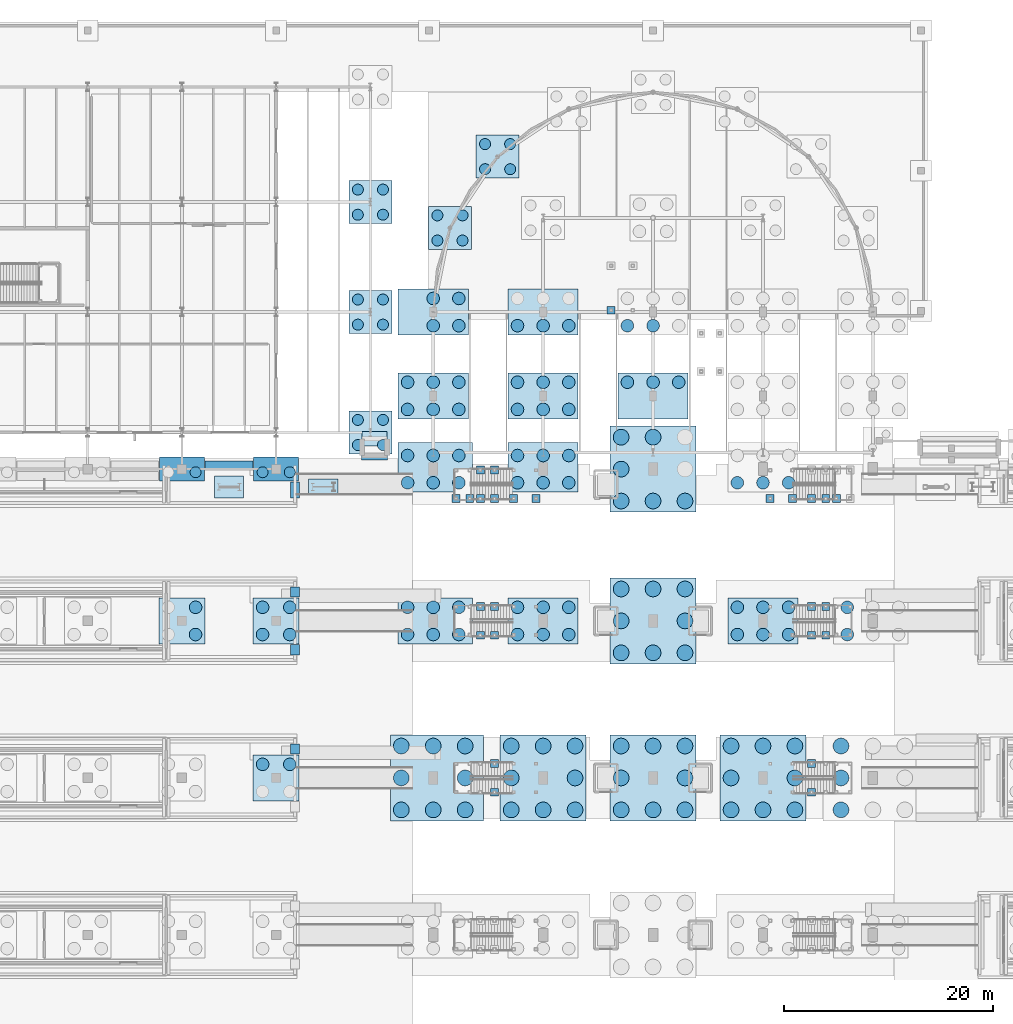
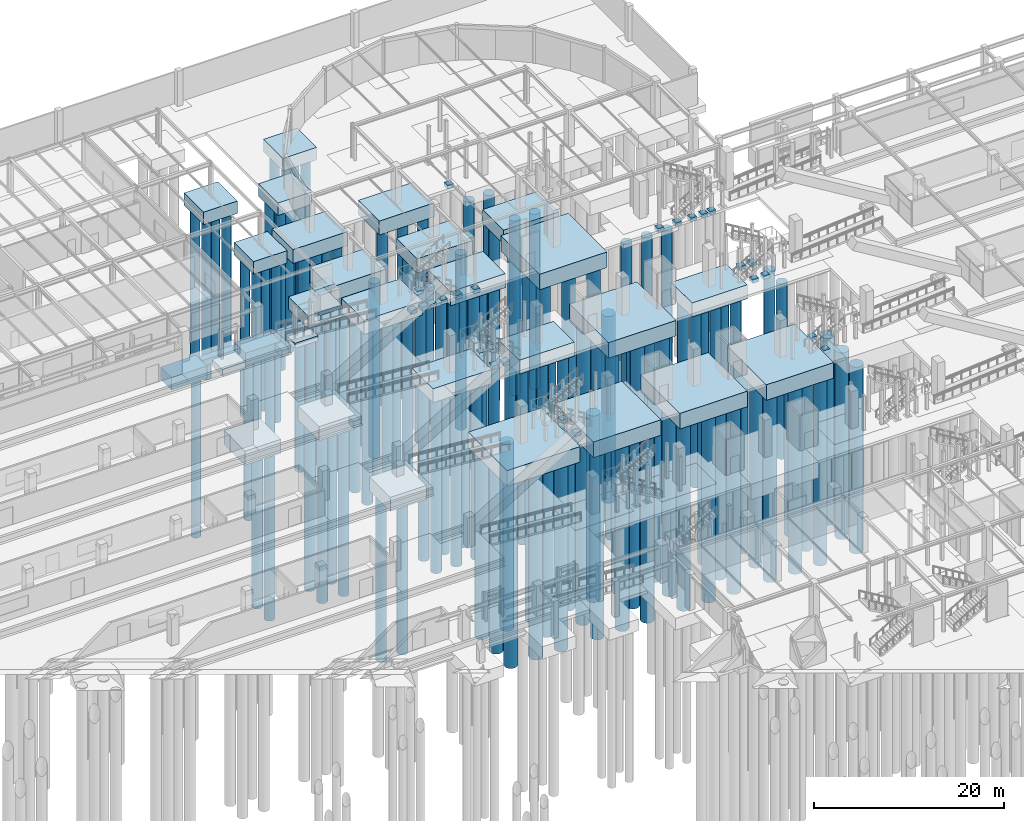
# One storey, part 4 of 160: 139 piles, 61 footings.
"""IFC4 building model written with IfcOpenShell, lengths in metres."""

from ifc_helpers import new_model, si_unit, direction, frame, origin, origin_2d, place, context, subcontext, project, spatial, rectangle, circle, extrude, material, material_profile, profile_set, type_object, element, save


model = new_model("IFC4")

# Units and contexts
model_context = context("Model", 3, precision=1e-05, world=origin(), true_north=direction((0.0, 1.0)))
body_context = subcontext(model_context, "Body", "Model", "MODEL_VIEW")
ifc_project = project(units=[si_unit("LENGTHUNIT", "METRE"), si_unit("AREAUNIT", "SQUARE_METRE"), si_unit("VOLUMEUNIT", "CUBIC_METRE"), si_unit("PLANEANGLEUNIT", "RADIAN"), si_unit("MASSUNIT", "GRAM", prefix="KILO")], contexts=[model_context])

# Site, building, storey
site_placement = place(None, origin())
site = spatial("IfcSite", under=ifc_project, at=site_placement, CompositionType="ELEMENT")
building_placement = place(site_placement, origin())
building = spatial("IfcBuilding", under=site, at=building_placement, Name="Marlcrest Central Station", CompositionType="ELEMENT")
storey_placement = place(building_placement, origin())
storey = spatial("IfcBuildingStorey", under=building, at=storey_placement, Name="L00", CompositionType="ELEMENT", Elevation=0.0)

# Piles
ifc_material_1 = material(Name="Concrete C35/45", Category="concrete")
ifc_material_profile_1 = material_profile(ifc_material_1, circle(Radius=0.52490234375, at=origin_2d()), Name="PILE D1050")
ifc_profile_set_1 = profile_set([ifc_material_profile_1], Name="Concrete C35/45")
pile_type_1 = type_object("IfcPileType", Name="BP-03", PredefinedType="BORED", material=ifc_profile_set_1)
for number, where, z_axis, x_axis, name in (
    (1, (79.800048828125, 97.800048828125, -1.5), (0.0, 0.0, -1.0), (1.0, 0.0, 0.0), "pile-BP-03-0153"),
    (2, (82.199951171875, 97.800048828125, -1.5), (0.0, 0.0, -1.0), (1.0, 0.0, 0.0), "pile-BP-03-0154"),
    (3, (79.800048828125, 100.199951171875, -1.5), (0.0, 0.0, -1.0), (1.0, 0.0, 0.0), "pile-BP-03-0155"),
    (4, (82.199951171875, 100.199951171875, -1.5), (0.0, 0.0, -1.0), (1.0, 0.0, 0.0), "pile-BP-03-0156"),
    (5, (79.800048828125, 109.300048828125, -1.5), (0.0, 0.0, -1.0), (1.0, 0.0, 0.0), "pile-BP-03-0157"),
    (6, (82.199951171875, 109.300048828125, -1.5), (0.0, 0.0, -1.0), (1.0, 0.0, 0.0), "pile-BP-03-0158"),
    (7, (79.800048828125, 111.699951171875, -1.5), (0.0, 0.0, -1.0), (1.0, 0.0, 0.0), "pile-BP-03-0159"),
    (8, (82.199951171875, 111.699951171875, -1.5), (0.0, 0.0, -1.0), (1.0, 0.0, 0.0), "pile-BP-03-0160"),
    (9, (79.800048828125, 119.800048828125, -1.5), (0.0, 0.0, -1.0), (1.0, 0.0, 0.0), "pile-BP-03-0161"),
    (10, (82.199951171875, 119.800048828125, -1.5), (0.0, 0.0, -1.0), (1.0, 0.0, 0.0), "pile-BP-03-0162"),
    (11, (79.800048828125, 122.199951171875, -1.5), (0.0, 0.0, -1.0), (1.0, 0.0, 0.0), "pile-BP-03-0163"),
    (12, (82.199951171875, 122.199951171875, -1.5), (0.0, 0.0, -1.0), (1.0, 0.0, 0.0), "pile-BP-03-0164"),
    (13, (64.300048828125, 95.199951171875, -1.5), (0.0, 0.0, -1.0), (1.0, 0.0, 0.0), "pile-BP-03-0534"),
    (14, (70.699951171875, 95.199951171875, -1.5), (0.0, 0.0, -1.0), (1.0, 0.0, 0.0), "pile-BP-03-0551"),
    (15, (73.300048828125, 95.199951171875, -1.5), (0.0, 0.0, -1.0), (1.0, 0.0, 0.0), "pile-BP-03-0552"),
    (16, (87.39892578125, 117.3359375, -1.5), (0.0, 0.0, -1.0), (1.0, 0.0, 0.0), "pile-BP-03-1006"),
    (17, (89.799072265625, 117.3359375, -1.5), (0.0, 0.0, -1.0), (1.0, 0.0, 0.0), "pile-BP-03-1007"),
    (18, (87.39892578125, 119.736083984375, -1.5), (0.0, 0.0, -1.0), (1.0, 0.0, 0.0), "pile-BP-03-1008"),
    (19, (89.799072265625, 119.736083984375, -1.5), (0.0, 0.0, -1.0), (1.0, 0.0, 0.0), "pile-BP-03-1009"),
    (20, (91.950927734375, 124.14892578125, -1.5), (0.0, 0.0, -1.0), (1.0, 0.0, 0.0), "pile-BP-03-1010"),
    (21, (94.35107421875, 124.14892578125, -1.5), (0.0, 0.0, -1.0), (1.0, 0.0, 0.0), "pile-BP-03-1011"),
    (22, (91.950927734375, 126.549072265625, -1.5), (0.0, 0.0, -1.0), (1.0, 0.0, 0.0), "pile-BP-03-1012"),
    (23, (94.35107421875, 126.549072265625, -1.5), (0.0, 0.0, -1.0), (1.0, 0.0, 0.0), "pile-BP-03-1013"),
):
    element("IfcPile", number, at=place(storey_placement, frame(where, z_axis=z_axis, x_axis=x_axis)), inside=storey, type_object=pile_type_1, Name=name, PredefinedType="BORED", context=body_context, shape_type="SweptSolid", body=[
        extrude(circle(Radius=0.52490234375, at=origin_2d()), origin(), (0.0, 0.0, 1.0), 20.5),
    ])
ifc_material_profile_2 = material_profile(ifc_material_1, circle(Radius=0.60009765625, at=origin_2d()), Name="PILE D1200")
ifc_profile_set_2 = profile_set([ifc_material_profile_2], Name="Concrete C35/45")
pile_type_2 = type_object("IfcPileType", Name="BP-04", PredefinedType="BORED", material=ifc_profile_set_2)
for number, where, z_axis, x_axis, name in (
    (24, (64.300048828125, 79.699951171875, -1.699951171875), (0.0, 0.0, -1.0), (1.0, 0.0, 0.0), "pile-BP-04-0530"),
    (25, (64.300048828125, 82.300048828125, -1.699951171875), (0.0, 0.0, -1.0), (1.0, 0.0, 0.0), "pile-BP-04-0532"),
    (26, (70.699951171875, 67.300048828125, -1.699951171875), (0.0, 0.0, -1.0), (1.0, 0.0, 0.0), "pile-BP-04-0545"),
    (27, (73.300048828125, 67.300048828125, -1.699951171875), (0.0, 0.0, -1.0), (1.0, 0.0, 0.0), "pile-BP-04-0546"),
    (28, (70.699951171875, 79.699951171875, -1.699951171875), (0.0, 0.0, -1.0), (1.0, 0.0, 0.0), "pile-BP-04-0547"),
    (29, (73.300048828125, 79.699951171875, -1.699951171875), (0.0, 0.0, -1.0), (1.0, 0.0, 0.0), "pile-BP-04-0548"),
    (30, (70.699951171875, 82.300048828125, -1.699951171875), (0.0, 0.0, -1.0), (1.0, 0.0, 0.0), "pile-BP-04-0549"),
    (31, (73.300048828125, 82.300048828125, -1.699951171875), (0.0, 0.0, -1.0), (1.0, 0.0, 0.0), "pile-BP-04-0550"),
):
    element("IfcPile", number, at=place(storey_placement, frame(where, z_axis=z_axis, x_axis=x_axis)), inside=storey, type_object=pile_type_2, Name=name, PredefinedType="BORED", context=body_context, shape_type="SweptSolid", body=[
        extrude(circle(Radius=0.60009765625, at=origin_2d()), origin(), (0.0, 0.0, 1.0), 21.5),
    ])
for number, where, z_axis, x_axis, name in (
    (32, (84.550048828125, 79.699951171875, -1.699951171875), (0.0, 0.0, -1.0), (1.0, 0.0, 0.0), "pile-BP-04-0721"),
    (33, (87.0, 79.699951171875, -1.699951171875), (0.0, 0.0, -1.0), (1.0, 0.0, 0.0), "pile-BP-04-0722"),
    (34, (89.449951171875, 79.699951171875, -1.699951171875), (0.0, 0.0, -1.0), (1.0, 0.0, 0.0), "pile-BP-04-0723"),
    (35, (84.550048828125, 82.300048828125, -1.699951171875), (0.0, 0.0, -1.0), (1.0, 0.0, 0.0), "pile-BP-04-0724"),
    (36, (87.0, 82.300048828125, -1.699951171875), (0.0, 0.0, -1.0), (1.0, 0.0, 0.0), "pile-BP-04-0725"),
    (37, (89.449951171875, 82.300048828125, -1.699951171875), (0.0, 0.0, -1.0), (1.0, 0.0, 0.0), "pile-BP-04-0726"),
    (38, (84.550048828125, 94.199951171875, -1.699951171875), (0.0, 0.0, -1.0), (1.0, 0.0, 0.0), "pile-BP-04-0727"),
    (39, (87.0, 94.199951171875, -1.699951171875), (0.0, 0.0, -1.0), (1.0, 0.0, 0.0), "pile-BP-04-0728"),
    (40, (89.449951171875, 94.199951171875, -1.699951171875), (0.0, 0.0, -1.0), (1.0, 0.0, 0.0), "pile-BP-04-0729"),
    (41, (84.550048828125, 96.800048828125, -1.699951171875), (0.0, 0.0, -1.0), (1.0, 0.0, 0.0), "pile-BP-04-0730"),
    (42, (87.0, 96.800048828125, -1.699951171875), (0.0, 0.0, -1.0), (1.0, 0.0, 0.0), "pile-BP-04-0731"),
    (43, (89.449951171875, 96.800048828125, -1.699951171875), (0.0, 0.0, -1.0), (1.0, 0.0, 0.0), "pile-BP-04-0732"),
    (44, (95.050048828125, 79.699951171875, -1.699951171875), (0.0, 0.0, -1.0), (1.0, 0.0, 0.0), "pile-BP-04-0753"),
    (45, (97.5, 79.699951171875, -1.699951171875), (0.0, 0.0, -1.0), (1.0, 0.0, 0.0), "pile-BP-04-0754"),
    (46, (99.949951171875, 79.699951171875, -1.699951171875), (0.0, 0.0, -1.0), (1.0, 0.0, 0.0), "pile-BP-04-0755"),
    (47, (95.050048828125, 82.300048828125, -1.699951171875), (0.0, 0.0, -1.0), (1.0, 0.0, 0.0), "pile-BP-04-0756"),
    (48, (97.5, 82.300048828125, -1.699951171875), (0.0, 0.0, -1.0), (1.0, 0.0, 0.0), "pile-BP-04-0757"),
    (49, (99.949951171875, 82.300048828125, -1.699951171875), (0.0, 0.0, -1.0), (1.0, 0.0, 0.0), "pile-BP-04-0758"),
    (50, (95.050048828125, 94.199951171875, -1.699951171875), (0.0, 0.0, -1.0), (1.0, 0.0, 0.0), "pile-BP-04-0759"),
    (51, (97.5, 94.199951171875, -1.699951171875), (0.0, 0.0, -1.0), (1.0, 0.0, 0.0), "pile-BP-04-0760"),
    (52, (99.949951171875, 94.199951171875, -1.699951171875), (0.0, 0.0, -1.0), (1.0, 0.0, 0.0), "pile-BP-04-0761"),
    (53, (95.050048828125, 96.800048828125, -1.699951171875), (0.0, 0.0, -1.0), (1.0, 0.0, 0.0), "pile-BP-04-0762"),
    (54, (97.5, 96.800048828125, -1.699951171875), (0.0, 0.0, -1.0), (1.0, 0.0, 0.0), "pile-BP-04-0763"),
    (55, (99.949951171875, 96.800048828125, -1.699951171875), (0.0, 0.0, -1.0), (1.0, 0.0, 0.0), "pile-BP-04-0764"),
    (56, (116.050048828125, 79.699951171875, -1.699951171875), (0.0, 0.0, -1.0), (1.0, 0.0, 0.0), "pile-BP-04-0825"),
    (57, (118.5, 79.699951171875, -1.699951171875), (0.0, 0.0, -1.0), (1.0, 0.0, 0.0), "pile-BP-04-0826"),
    (58, (120.949951171875, 79.699951171875, -1.699951171875), (0.0, 0.0, -1.0), (1.0, 0.0, 0.0), "pile-BP-04-0827"),
    (59, (116.050048828125, 82.300048828125, -1.699951171875), (0.0, 0.0, -1.0), (1.0, 0.0, 0.0), "pile-BP-04-0828"),
    (60, (118.5, 82.300048828125, -1.699951171875), (0.0, 0.0, -1.0), (1.0, 0.0, 0.0), "pile-BP-04-0829"),
    (61, (120.949951171875, 82.300048828125, -1.699951171875), (0.0, 0.0, -1.0), (1.0, 0.0, 0.0), "pile-BP-04-0830"),
    (62, (116.050048828125, 94.199951171875, -1.699951171875), (0.0, 0.0, -1.0), (1.0, 0.0, 0.0), "pile-BP-04-0831"),
    (63, (118.5, 94.199951171875, -1.699951171875), (0.0, 0.0, -1.0), (1.0, 0.0, 0.0), "pile-BP-04-0832"),
    (64, (120.949951171875, 94.199951171875, -1.699951171875), (0.0, 0.0, -1.0), (1.0, 0.0, 0.0), "pile-BP-04-0833"),
    (65, (126.550048828125, 79.699951171875, -1.699951171875), (0.0, 0.0, -1.0), (1.0, 0.0, 0.0), "pile-BP-04-0857"),
    (66, (126.550048828125, 82.300048828125, -1.699951171875), (0.0, 0.0, -1.0), (1.0, 0.0, 0.0), "pile-BP-04-0860"),
    (67, (84.550048828125, 101.199951171875, -1.699951171875), (0.0, 0.0, -1.0), (1.0, 0.0, 0.0), "pile-BP-04-0911"),
    (68, (87.0, 101.199951171875, -1.699951171875), (0.0, 0.0, -1.0), (1.0, 0.0, 0.0), "pile-BP-04-0912"),
    (69, (89.449951171875, 101.199951171875, -1.699951171875), (0.0, 0.0, -1.0), (1.0, 0.0, 0.0), "pile-BP-04-0913"),
    (70, (84.550048828125, 103.800048828125, -1.699951171875), (0.0, 0.0, -1.0), (1.0, 0.0, 0.0), "pile-BP-04-0914"),
    (71, (87.0, 103.800048828125, -1.699951171875), (0.0, 0.0, -1.0), (1.0, 0.0, 0.0), "pile-BP-04-0915"),
    (72, (89.449951171875, 103.800048828125, -1.699951171875), (0.0, 0.0, -1.0), (1.0, 0.0, 0.0), "pile-BP-04-0916"),
    (73, (95.050048828125, 101.199951171875, -1.699951171875), (0.0, 0.0, -1.0), (1.0, 0.0, 0.0), "pile-BP-04-0917"),
    (74, (97.5, 101.199951171875, -1.699951171875), (0.0, 0.0, -1.0), (1.0, 0.0, 0.0), "pile-BP-04-0918"),
    (75, (99.949951171875, 101.199951171875, -1.699951171875), (0.0, 0.0, -1.0), (1.0, 0.0, 0.0), "pile-BP-04-0919"),
    (76, (95.050048828125, 103.800048828125, -1.699951171875), (0.0, 0.0, -1.0), (1.0, 0.0, 0.0), "pile-BP-04-0920"),
    (77, (97.5, 103.800048828125, -1.699951171875), (0.0, 0.0, -1.0), (1.0, 0.0, 0.0), "pile-BP-04-0921"),
    (78, (99.949951171875, 103.800048828125, -1.699951171875), (0.0, 0.0, -1.0), (1.0, 0.0, 0.0), "pile-BP-04-0922"),
    (79, (105.550048828125, 103.800048828125, -1.699951171875), (0.0, 0.0, -1.0), (1.0, 0.0, 0.0), "pile-BP-04-0923"),
    (80, (108.0, 103.800048828125, -1.699951171875), (0.0, 0.0, -1.0), (1.0, 0.0, 0.0), "pile-BP-04-0924"),
    (81, (110.449951171875, 103.800048828125, -1.699951171875), (0.0, 0.0, -1.0), (1.0, 0.0, 0.0), "pile-BP-04-0925"),
    (82, (87.0, 109.199951171875, -1.699951171875), (0.0, 0.0, -1.0), (1.0, 0.0, 0.0), "pile-BP-04-0938"),
    (83, (89.449951171875, 109.199951171875, -1.699951171875), (0.0, 0.0, -1.0), (1.0, 0.0, 0.0), "pile-BP-04-0939"),
    (84, (87.0, 111.800048828125, -1.699951171875), (0.0, 0.0, -1.0), (1.0, 0.0, 0.0), "pile-BP-04-0940"),
    (85, (89.449951171875, 111.800048828125, -1.699951171875), (0.0, 0.0, -1.0), (1.0, 0.0, 0.0), "pile-BP-04-0941"),
    (86, (95.050048828125, 109.199951171875, -1.699951171875), (0.0, 0.0, -1.0), (1.0, 0.0, 0.0), "pile-BP-04-0942"),
    (87, (97.5, 109.199951171875, -1.699951171875), (0.0, 0.0, -1.0), (1.0, 0.0, 0.0), "pile-BP-04-0943"),
    (88, (99.949951171875, 109.199951171875, -1.699951171875), (0.0, 0.0, -1.0), (1.0, 0.0, 0.0), "pile-BP-04-0944"),
    (89, (105.550048828125, 109.199951171875, -1.699951171875), (0.0, 0.0, -1.0), (1.0, 0.0, 0.0), "pile-BP-04-0948"),
    (90, (108.0, 109.199951171875, -1.699951171875), (0.0, 0.0, -1.0), (1.0, 0.0, 0.0), "pile-BP-04-0949"),
):
    element("IfcPile", number, at=place(storey_placement, frame(where, z_axis=z_axis, x_axis=x_axis)), inside=storey, type_object=pile_type_2, Name=name, PredefinedType="BORED", context=body_context, shape_type="SweptSolid", body=[
        extrude(circle(Radius=0.60009765625, at=origin_2d()), origin(), (0.0, 0.0, 1.0), 22.5),
    ])
ifc_material_profile_3 = material_profile(ifc_material_1, circle(Radius=0.75, at=origin_2d()), Name="PILE D1500")
ifc_profile_set_3 = profile_set([ifc_material_profile_3], Name="Concrete C35/45")
pile_type_3 = type_object("IfcPileType", Name="BP-06", PredefinedType="BORED", material=ifc_profile_set_3)
for number, where, z_axis, x_axis, name in (
    (91, (83.949951171875, 62.949951171875, -1.89990234375), (0.0, 0.0, -1.0), (1.0, 0.0, 0.0), "pile-BP-06-0713"),
    (92, (87.0, 62.949951171875, -1.89990234375), (0.0, 0.0, -1.0), (1.0, 0.0, 0.0), "pile-BP-06-0714"),
    (93, (90.050048828125, 62.949951171875, -1.89990234375), (0.0, 0.0, -1.0), (1.0, 0.0, 0.0), "pile-BP-06-0715"),
    (94, (83.949951171875, 66.0, -1.89990234375), (0.0, 0.0, -1.0), (1.0, 0.0, 0.0), "pile-BP-06-0716"),
    (95, (90.050048828125, 66.0, -1.89990234375), (0.0, 0.0, -1.0), (1.0, 0.0, 0.0), "pile-BP-06-0717"),
    (96, (83.949951171875, 69.050048828125, -1.89990234375), (0.0, 0.0, -1.0), (1.0, 0.0, 0.0), "pile-BP-06-0718"),
    (97, (87.0, 69.050048828125, -1.89990234375), (0.0, 0.0, -1.0), (1.0, 0.0, 0.0), "pile-BP-06-0719"),
    (98, (90.050048828125, 69.050048828125, -1.89990234375), (0.0, 0.0, -1.0), (1.0, 0.0, 0.0), "pile-BP-06-0720"),
    (99, (94.449951171875, 62.949951171875, -1.89990234375), (0.0, 0.0, -1.0), (1.0, 0.0, 0.0), "pile-BP-06-0745"),
    (100, (97.5, 62.949951171875, -1.89990234375), (0.0, 0.0, -1.0), (1.0, 0.0, 0.0), "pile-BP-06-0746"),
    (101, (100.550048828125, 62.949951171875, -1.89990234375), (0.0, 0.0, -1.0), (1.0, 0.0, 0.0), "pile-BP-06-0747"),
    (102, (94.449951171875, 66.0, -1.89990234375), (0.0, 0.0, -1.0), (1.0, 0.0, 0.0), "pile-BP-06-0748"),
    (103, (100.550048828125, 66.0, -1.89990234375), (0.0, 0.0, -1.0), (1.0, 0.0, 0.0), "pile-BP-06-0749"),
    (104, (94.449951171875, 69.050048828125, -1.89990234375), (0.0, 0.0, -1.0), (1.0, 0.0, 0.0), "pile-BP-06-0750"),
    (105, (97.5, 69.050048828125, -1.89990234375), (0.0, 0.0, -1.0), (1.0, 0.0, 0.0), "pile-BP-06-0751"),
    (106, (100.550048828125, 69.050048828125, -1.89990234375), (0.0, 0.0, -1.0), (1.0, 0.0, 0.0), "pile-BP-06-0752"),
    (107, (104.949951171875, 62.949951171875, -1.89990234375), (0.0, 0.0, -1.0), (1.0, 0.0, 0.0), "pile-BP-06-0781"),
    (108, (108.0, 62.949951171875, -1.89990234375), (0.0, 0.0, -1.0), (1.0, 0.0, 0.0), "pile-BP-06-0782"),
    (109, (111.050048828125, 62.949951171875, -1.89990234375), (0.0, 0.0, -1.0), (1.0, 0.0, 0.0), "pile-BP-06-0783"),
    (110, (104.949951171875, 66.0, -1.89990234375), (0.0, 0.0, -1.0), (1.0, 0.0, 0.0), "pile-BP-06-0784"),
    (111, (111.050048828125, 66.0, -1.89990234375), (0.0, 0.0, -1.0), (1.0, 0.0, 0.0), "pile-BP-06-0785"),
    (112, (104.949951171875, 69.050048828125, -1.89990234375), (0.0, 0.0, -1.0), (1.0, 0.0, 0.0), "pile-BP-06-0786"),
    (113, (108.0, 69.050048828125, -1.89990234375), (0.0, 0.0, -1.0), (1.0, 0.0, 0.0), "pile-BP-06-0787"),
    (114, (111.050048828125, 69.050048828125, -1.89990234375), (0.0, 0.0, -1.0), (1.0, 0.0, 0.0), "pile-BP-06-0788"),
    (115, (104.949951171875, 77.949951171875, -1.89990234375), (0.0, 0.0, -1.0), (1.0, 0.0, 0.0), "pile-BP-06-0789"),
    (116, (108.0, 77.949951171875, -1.89990234375), (0.0, 0.0, -1.0), (1.0, 0.0, 0.0), "pile-BP-06-0790"),
    (117, (111.050048828125, 77.949951171875, -1.89990234375), (0.0, 0.0, -1.0), (1.0, 0.0, 0.0), "pile-BP-06-0791"),
    (118, (104.949951171875, 81.0, -1.89990234375), (0.0, 0.0, -1.0), (1.0, 0.0, 0.0), "pile-BP-06-0792"),
    (119, (111.050048828125, 81.0, -1.89990234375), (0.0, 0.0, -1.0), (1.0, 0.0, 0.0), "pile-BP-06-0793"),
    (120, (104.949951171875, 84.050048828125, -1.89990234375), (0.0, 0.0, -1.0), (1.0, 0.0, 0.0), "pile-BP-06-0794"),
    (121, (108.0, 84.050048828125, -1.89990234375), (0.0, 0.0, -1.0), (1.0, 0.0, 0.0), "pile-BP-06-0795"),
    (122, (111.050048828125, 84.050048828125, -1.89990234375), (0.0, 0.0, -1.0), (1.0, 0.0, 0.0), "pile-BP-06-0796"),
    (123, (104.949951171875, 92.449951171875, -1.89990234375), (0.0, 0.0, -1.0), (1.0, 0.0, 0.0), "pile-BP-06-0797"),
    (124, (108.0, 92.449951171875, -1.89990234375), (0.0, 0.0, -1.0), (1.0, 0.0, 0.0), "pile-BP-06-0798"),
    (125, (111.050048828125, 92.449951171875, -1.89990234375), (0.0, 0.0, -1.0), (1.0, 0.0, 0.0), "pile-BP-06-0799"),
    (126, (104.949951171875, 95.5, -1.89990234375), (0.0, 0.0, -1.0), (1.0, 0.0, 0.0), "pile-BP-06-0800"),
    (127, (104.949951171875, 98.550048828125, -1.89990234375), (0.0, 0.0, -1.0), (1.0, 0.0, 0.0), "pile-BP-06-0802"),
    (128, (108.0, 98.550048828125, -1.89990234375), (0.0, 0.0, -1.0), (1.0, 0.0, 0.0), "pile-BP-06-0803"),
    (129, (115.449951171875, 62.949951171875, -1.89990234375), (0.0, 0.0, -1.0), (1.0, 0.0, 0.0), "pile-BP-06-0817"),
    (130, (118.5, 62.949951171875, -1.89990234375), (0.0, 0.0, -1.0), (1.0, 0.0, 0.0), "pile-BP-06-0818"),
    (131, (121.550048828125, 62.949951171875, -1.89990234375), (0.0, 0.0, -1.0), (1.0, 0.0, 0.0), "pile-BP-06-0819"),
    (132, (115.449951171875, 66.0, -1.89990234375), (0.0, 0.0, -1.0), (1.0, 0.0, 0.0), "pile-BP-06-0820"),
    (133, (121.550048828125, 66.0, -1.89990234375), (0.0, 0.0, -1.0), (1.0, 0.0, 0.0), "pile-BP-06-0821"),
    (134, (115.449951171875, 69.050048828125, -1.89990234375), (0.0, 0.0, -1.0), (1.0, 0.0, 0.0), "pile-BP-06-0822"),
    (135, (118.5, 69.050048828125, -1.89990234375), (0.0, 0.0, -1.0), (1.0, 0.0, 0.0), "pile-BP-06-0823"),
    (136, (121.550048828125, 69.050048828125, -1.89990234375), (0.0, 0.0, -1.0), (1.0, 0.0, 0.0), "pile-BP-06-0824"),
    (137, (125.949951171875, 62.949951171875, -1.89990234375), (0.0, 0.0, -1.0), (1.0, 0.0, 0.0), "pile-BP-06-0849"),
    (138, (125.949951171875, 66.0, -1.89990234375), (0.0, 0.0, -1.0), (1.0, 0.0, 0.0), "pile-BP-06-0852"),
    (139, (125.949951171875, 69.050048828125, -1.89990234375), (0.0, 0.0, -1.0), (1.0, 0.0, 0.0), "pile-BP-06-0854"),
):
    element("IfcPile", number, at=place(storey_placement, frame(where, z_axis=z_axis, x_axis=x_axis)), inside=storey, type_object=pile_type_3, Name=name, PredefinedType="BORED", context=body_context, shape_type="SweptSolid", body=[
        extrude(circle(Radius=0.75, at=origin_2d()), origin(), (0.0, 0.0, 1.0), 24.0),
    ])

# Footings
ifc_material_2 = material(Name="Concrete C40/50", Category="concrete")
footing_type_1 = type_object("IfcFootingType", Name="PC-03", PredefinedType="PILE_CAP", material=ifc_material_2)
for number, where, z_axis, x_axis, name in (
    (140, (81.0, 99.0, -1.60009765625), (0.0, 0.0, 1.0), (1.0, 0.0, 0.0), "ftg-cap-0037"),
    (141, (81.0, 110.5, -1.60009765625), (0.0, 0.0, 1.0), (1.0, 0.0, 0.0), "ftg-cap-0038"),
    (142, (81.0, 121.0, -1.60009765625), (0.0, 0.0, 1.0), (1.0, 0.0, 0.0), "ftg-cap-0039"),
):
    element("IfcFooting", number, at=place(storey_placement, frame(where, z_axis=z_axis, x_axis=x_axis)), inside=storey, type_object=footing_type_1, Name=name, PredefinedType="PILE_CAP", context=body_context, shape_type="SweptSolid", body=[
        extrude(rectangle(XDim=4.10009765625, YDim=4.10009765625, at=origin_2d()), origin(), (0.0, 0.0, 1.0), 1.60009765625),
    ])
for number, where, z_axis, x_axis, name in (
    (143, (63.0, 95.5, -1.60009765625), (0.0, 0.0, 1.0), (1.0, 0.0, 0.0), "ftg-cap-0139"),
    (144, (72.0, 95.5, -1.60009765625), (0.0, 0.0, 1.0), (1.0, 0.0, 0.0), "ftg-cap-0144"),
):
    element("IfcFooting", number, at=place(storey_placement, frame(where, z_axis=z_axis, x_axis=x_axis)), inside=storey, type_object=footing_type_1, Name=name, PredefinedType="PILE_CAP", context=body_context, shape_type="SweptSolid", body=[
        extrude(rectangle(XDim=4.300048828125, YDim=2.300048828125, at=origin_2d()), origin(), (0.0, 0.0, 1.0), 1.60009765625),
    ])
for number, where, z_axis, x_axis, name in (
    (145, (88.59912109375, 118.535888671875, -1.60009765625), (0.0, 0.0, 1.0), (1.0, 0.0, 0.0), "ftg-cap-0235"),
    (146, (93.15087890625, 125.34912109375, -1.60009765625), (0.0, 0.0, 1.0), (1.0, 0.0, 0.0), "ftg-cap-0236"),
):
    element("IfcFooting", number, at=place(storey_placement, frame(where, z_axis=z_axis, x_axis=x_axis)), inside=storey, type_object=footing_type_1, Name=name, PredefinedType="PILE_CAP", context=body_context, shape_type="SweptSolid", body=[
        extrude(rectangle(XDim=4.10009765625, YDim=4.10009765625, at=origin_2d()), origin(), (0.0, 0.0, 1.0), 1.60009765625),
    ])
footing_type_2 = type_object("IfcFootingType", Name="PC-04", PredefinedType="PILE_CAP", material=ifc_material_2)
for number, where, z_axis, x_axis, name in (
    (147, (63.0, 81.0, -1.7998046875), (0.0, 0.0, 1.0), (1.0, 0.0, 0.0), "ftg-cap-0138"),
    (148, (72.0, 66.0, -1.7998046875), (0.0, 0.0, 1.0), (1.0, 0.0, 0.0), "ftg-cap-0142"),
    (149, (72.0, 81.0, -1.7998046875), (0.0, 0.0, 1.0), (1.0, 0.0, 0.0), "ftg-cap-0143"),
):
    element("IfcFooting", number, at=place(storey_placement, frame(where, z_axis=z_axis, x_axis=x_axis)), inside=storey, type_object=footing_type_2, Name=name, PredefinedType="PILE_CAP", context=body_context, shape_type="SweptSolid", body=[
        extrude(rectangle(XDim=4.39990234375, YDim=4.39990234375, at=origin_2d()), origin(), (0.0, 0.0, 1.0), 1.800048828125),
    ])
footing_type_3 = type_object("IfcFootingType", Name="PC-05", PredefinedType="PILE_CAP", material=ifc_material_2)
footing_1_placement = place(storey_placement, frame((87.2099609375, 81.0, -1.7998046875), z_axis=(0.0, 0.0, 1.0), x_axis=(1.0, 0.0, 0.0)))
element("IfcFooting", 150, at=footing_1_placement, inside=storey, type_object=footing_type_3, Name="ftg-cap-0186", PredefinedType="PILE_CAP", context=body_context, shape_type="SweptSolid", body=[
    extrude(rectangle(XDim=7.1201171875, YDim=4.39990234375, at=origin_2d()), origin(), (0.0, 0.0, 1.0), 1.800048828125),
])
footing_2_placement = place(storey_placement, frame((87.2099609375, 95.675048828125, -1.7998046875), z_axis=(0.0, 0.0, 1.0), x_axis=(1.0, 0.0, 0.0)))
element("IfcFooting", 151, at=footing_2_placement, inside=storey, type_object=footing_type_3, Name="ftg-cap-0187", PredefinedType="PILE_CAP", context=body_context, shape_type="SweptSolid", body=[
    extrude(rectangle(XDim=7.1201171875, YDim=4.75, at=origin_2d()), origin(), (0.0, 0.0, 1.0), 1.800048828125),
])
footing_3_placement = place(storey_placement, frame((97.5, 81.0, -1.7998046875), z_axis=(0.0, 0.0, 1.0), x_axis=(1.0, 0.0, 0.0)))
element("IfcFooting", 152, at=footing_3_placement, inside=storey, type_object=footing_type_3, Name="ftg-cap-0191", PredefinedType="PILE_CAP", context=body_context, shape_type="SweptSolid", body=[
    extrude(rectangle(XDim=6.699951171875, YDim=4.39990234375, at=origin_2d()), origin(), (0.0, 0.0, 1.0), 1.800048828125),
])
footing_4_placement = place(storey_placement, frame((97.5, 95.675048828125, -1.7998046875), z_axis=(0.0, 0.0, 1.0), x_axis=(1.0, 0.0, 0.0)))
element("IfcFooting", 153, at=footing_4_placement, inside=storey, type_object=footing_type_3, Name="ftg-cap-0192", PredefinedType="PILE_CAP", context=body_context, shape_type="SweptSolid", body=[
    extrude(rectangle(XDim=6.699951171875, YDim=4.75, at=origin_2d()), origin(), (0.0, 0.0, 1.0), 1.800048828125),
])
for number, where, z_axis, x_axis, name in (
    (154, (118.5, 81.0, -1.7998046875), (0.0, 0.0, 1.0), (1.0, 0.0, 0.0), "ftg-cap-0201"),
    (155, (87.0, 102.5, -1.7998046875), (0.0, 0.0, 1.0), (1.0, 0.0, 0.0), "ftg-cap-0215"),
    (156, (97.5, 102.5, -1.7998046875), (0.0, 0.0, 1.0), (1.0, 0.0, 0.0), "ftg-cap-0216"),
    (157, (108.0, 102.5, -1.7998046875), (0.0, 0.0, 1.0), (1.0, 0.0, 0.0), "ftg-cap-0217"),
    (158, (87.0, 110.5, -1.7998046875), (0.0, 0.0, 1.0), (1.0, 0.0, 0.0), "ftg-cap-0220"),
    (159, (97.5, 110.5, -1.7998046875), (0.0, 0.0, 1.0), (1.0, 0.0, 0.0), "ftg-cap-0221"),
):
    element("IfcFooting", number, at=place(storey_placement, frame(where, z_axis=z_axis, x_axis=x_axis)), inside=storey, type_object=footing_type_3, Name=name, PredefinedType="PILE_CAP", context=body_context, shape_type="SweptSolid", body=[
        extrude(rectangle(XDim=6.699951171875, YDim=4.39990234375, at=origin_2d()), origin(), (0.0, 0.0, 1.0), 1.800048828125),
    ])
footing_type_4 = type_object("IfcFootingType", Name="PC-06", PredefinedType="PILE_CAP", material=ifc_material_2)
footing_5_placement = place(storey_placement, frame((87.340087890625, 66.0, -2.0), z_axis=(0.0, 0.0, 1.0), x_axis=(1.0, 0.0, 0.0)))
element("IfcFooting", 160, at=footing_5_placement, inside=storey, type_object=footing_type_4, Name="ftg-cap-0185", PredefinedType="PILE_CAP", context=body_context, shape_type="SweptSolid", body=[
    extrude(rectangle(XDim=8.8798828125, YDim=8.199951171875, at=origin_2d()), origin(), (0.0, 0.0, 1.0), 2.0),
])
for number, where, z_axis, x_axis, name in (
    (161, (97.5, 66.0, -2.0), (0.0, 0.0, 1.0), (1.0, 0.0, 0.0), "ftg-cap-0190"),
    (162, (108.0, 66.0, -2.0), (0.0, 0.0, 1.0), (1.0, 0.0, 0.0), "ftg-cap-0195"),
    (163, (108.0, 81.0, -2.0), (0.0, 0.0, 1.0), (1.0, 0.0, 0.0), "ftg-cap-0196"),
    (164, (108.0, 95.5, -2.0), (0.0, 0.0, 1.0), (1.0, 0.0, 0.0), "ftg-cap-0197"),
    (165, (118.5, 66.0, -2.0), (0.0, 0.0, 1.0), (1.0, 0.0, 0.0), "ftg-cap-0200"),
):
    element("IfcFooting", number, at=place(storey_placement, frame(where, z_axis=z_axis, x_axis=x_axis)), inside=storey, type_object=footing_type_4, Name=name, PredefinedType="PILE_CAP", context=body_context, shape_type="SweptSolid", body=[
        extrude(rectangle(XDim=8.199951171875, YDim=8.199951171875, at=origin_2d()), origin(), (0.0, 0.0, 1.0), 2.0),
    ])
footing_type_5 = type_object("IfcFootingType", Name="PF-02", PredefinedType="PAD_FOOTING", material=ifc_material_2)
footing_6_placement = place(storey_placement, frame((67.5, 93.800048828125, -0.650146484375), z_axis=(0.0, 0.0, 1.0), x_axis=(1.0, 0.0, 0.0)))
element("IfcFooting", 166, at=footing_6_placement, inside=storey, type_object=footing_type_5, Name="ftg-pad-ap-1-1", PredefinedType="PAD_FOOTING", context=body_context, shape_type="SweptSolid", body=[
    extrude(rectangle(XDim=2.800048828125, YDim=2.10009765625, at=origin_2d()), origin(), (0.0, 0.0, 1.0), 0.85009765625),
])
footing_type_6 = type_object("IfcFootingType", Name="PF-03", PredefinedType="PAD_FOOTING", material=ifc_material_2)
footing_7_placement = place(storey_placement, frame((76.5, 93.800048828125, -0.449951171875), z_axis=(0.0, 0.0, 1.0), x_axis=(1.0, 0.0, 0.0)))
element("IfcFooting", 167, at=footing_7_placement, inside=storey, type_object=footing_type_6, Name="ftg-pad-ap-2-1", PredefinedType="PAD_FOOTING", context=body_context, shape_type="SweptSolid", body=[
    extrude(rectangle(XDim=2.800048828125, YDim=1.5, at=origin_2d()), origin(), (0.0, 0.0, 1.0), 0.64990234375),
])
for number, where, z_axis, x_axis, name in (
    (168, (92.860107421875, 64.6298828125, -0.43994140625), (0.0, 0.0, 1.0), (1.0, 0.0, 0.0), "stftg-hi0-0015-928-646"),
    (169, (92.860107421875, 67.3701171875, -0.43994140625), (0.0, 0.0, 1.0), (1.0, 0.0, 0.0), "stftg-hi0-0015-928-673"),
    (170, (123.139892578125, 64.6298828125, -0.43994140625), (0.0, 0.0, 1.0), (1.0, 0.0, 0.0), "stftg-hi0-0018-1231-646"),
    (171, (123.139892578125, 67.3701171875, -0.43994140625), (0.0, 0.0, 1.0), (1.0, 0.0, 0.0), "stftg-hi0-0018-1231-673"),
    (172, (91.5, 79.6298828125, -0.43994140625), (0.0, 0.0, 1.0), (1.0, 0.0, 0.0), "stftg-hi0-0021-915-796"),
    (173, (91.5, 82.3701171875, -0.43994140625), (0.0, 0.0, 1.0), (1.0, 0.0, 0.0), "stftg-hi0-0021-915-823"),
    (174, (92.860107421875, 79.6298828125, -0.43994140625), (0.0, 0.0, 1.0), (1.0, 0.0, 0.0), "stftg-hi0-0021-928-796"),
    (175, (92.860107421875, 82.3701171875, -0.43994140625), (0.0, 0.0, 1.0), (1.0, 0.0, 0.0), "stftg-hi0-0021-928-823"),
    (176, (123.139892578125, 79.6298828125, -0.43994140625), (0.0, 0.0, 1.0), (1.0, 0.0, 0.0), "stftg-hi0-0024-1231-796"),
    (177, (123.139892578125, 82.3701171875, -0.43994140625), (0.0, 0.0, 1.0), (1.0, 0.0, 0.0), "stftg-hi0-0024-1231-823"),
    (178, (124.5, 79.6298828125, -0.43994140625), (0.0, 0.0, 1.0), (1.0, 0.0, 0.0), "stftg-hi0-0024-1245-796"),
    (179, (124.5, 82.3701171875, -0.43994140625), (0.0, 0.0, 1.0), (1.0, 0.0, 0.0), "stftg-hi0-0024-1245-823"),
    (180, (94.679931640625, 92.699951171875, -0.43994140625), (0.0, 0.0, 1.0), (1.0, 0.0, 0.0), "stftg-tr-0025-946-927"),
    (181, (96.820068359375, 92.699951171875, -0.43994140625), (0.0, 0.0, 1.0), (1.0, 0.0, 0.0), "stftg-tr-0025-968-927"),
    (182, (89.169921875, 92.699951171875, -0.43994140625), (0.0, 0.0, 1.0), (1.0, 0.0, 0.0), "stftg-lo-0026-891-927"),
    (183, (90.489990234375, 92.699951171875, -0.43994140625), (0.0, 0.0, 1.0), (1.0, 0.0, 0.0), "stftg-lo-0026-904-927"),
    (184, (91.5, 92.679931640625, -0.43994140625), (0.0, 0.0, 1.0), (1.0, 0.0, 0.0), "stftg-hi0-0027-915-926"),
    (185, (91.5, 95.419921875, -0.43994140625), (0.0, 0.0, 1.0), (1.0, 0.0, 0.0), "stftg-hi0-0027-915-954"),
    (186, (92.860107421875, 92.679931640625, -0.43994140625), (0.0, 0.0, 1.0), (1.0, 0.0, 0.0), "stftg-hi0-0027-928-926"),
    (187, (92.860107421875, 95.419921875, -0.43994140625), (0.0, 0.0, 1.0), (1.0, 0.0, 0.0), "stftg-hi0-0027-928-954"),
    (188, (119.179931640625, 92.699951171875, -0.43994140625), (0.0, 0.0, 1.0), (1.0, 0.0, 0.0), "stftg-tr-0028-1191-927"),
    (189, (121.320068359375, 92.699951171875, -0.43994140625), (0.0, 0.0, 1.0), (1.0, 0.0, 0.0), "stftg-tr-0028-1213-927"),
    (190, (125.510009765625, 92.699951171875, -0.43994140625), (0.0, 0.0, 1.0), (1.0, 0.0, 0.0), "stftg-lo-0029-1255-927"),
    (191, (123.139892578125, 92.679931640625, -0.43994140625), (0.0, 0.0, 1.0), (1.0, 0.0, 0.0), "stftg-hi0-0030-1231-926"),
    (192, (124.5, 92.679931640625, -0.43994140625), (0.0, 0.0, 1.0), (1.0, 0.0, 0.0), "stftg-hi0-0030-1245-926"),
    (193, (103.989990234375, 110.679931640625, -0.43994140625), (0.0, 0.0, 1.0), (1.0, 0.0, 0.0), "htftg-n11-0034-0"),
):
    element("IfcFooting", number, at=place(storey_placement, frame(where, z_axis=z_axis, x_axis=x_axis)), inside=storey, type_object=footing_type_6, Name=name, PredefinedType="PAD_FOOTING", context=body_context, shape_type="SweptSolid", body=[
        extrude(rectangle(XDim=0.75, YDim=0.75, at=origin_2d()), origin(), (0.0, 0.0, 1.0), 0.43994140625),
    ])
footing_type_7 = type_object("IfcFootingType", Name="SF-01", PredefinedType="STRIP_FOOTING", material=ifc_material_2)
footing_8_placement = place(storey_placement, frame((81.39990234375, 98.39990234375, 1.60009765625), z_axis=(0.0, 0.0, 1.0), x_axis=(1.0, 0.0, 0.0)))
element("IfcFooting", 194, at=footing_8_placement, inside=storey, type_object=footing_type_7, Name="ftg-sf2-80.2", PredefinedType="STRIP_FOOTING", context=body_context, shape_type="SweptSolid", body=[
    extrude(rectangle(XDim=2.39990234375, YDim=1.39990234375, at=origin_2d()), origin(), (0.0, 0.0, 1.0), 0.800048828125),
])
for number, where, z_axis, x_axis, name in (
    (195, (73.800048828125, 68.762939453125, -0.7998046875), (0.0, 0.0, 1.0), (1.0, 0.0, 0.0), "ftg-pw-0069"),
    (196, (73.800048828125, 78.237060546875, -0.7998046875), (0.0, 0.0, 1.0), (1.0, 0.0, 0.0), "ftg-pw-0086"),
    (197, (73.800048828125, 83.762939453125, -0.7998046875), (0.0, 0.0, 1.0), (1.0, 0.0, 0.0), "ftg-pw-0087"),
):
    element("IfcFooting", number, at=place(storey_placement, frame(where, z_axis=z_axis, x_axis=x_axis)), inside=storey, type_object=footing_type_7, Name=name, PredefinedType="STRIP_FOOTING", context=body_context, shape_type="SweptSolid", body=[
        extrude(rectangle(XDim=0.85009765625, YDim=0.985107421875, at=origin_2d()), origin(), (0.0, 0.0, 1.0), 0.800048828125),
    ])
footing_9_placement = place(storey_placement, frame((67.5, 95.85009765625, -0.7998046875), z_axis=(0.0, 0.0, 1.0), x_axis=(1.0, 0.0, 0.0)))
element("IfcFooting", 198, at=footing_9_placement, inside=storey, type_object=footing_type_7, Name="ftg-pw-0106", PredefinedType="STRIP_FOOTING", context=body_context, shape_type="SweptSolid", body=[
    extrude(rectangle(XDim=4.56005859375, YDim=0.85009765625, at=origin_2d()), origin(), (0.0, 0.0, 1.0), 0.800048828125),
])
footing_10_placement = place(storey_placement, frame((73.800048828125, 93.511962890625, -0.7998046875), z_axis=(0.0, 0.0, 1.0), x_axis=(1.0, 0.0, 0.0)))
element("IfcFooting", 199, at=footing_10_placement, inside=storey, type_object=footing_type_7, Name="ftg-pw-0115", PredefinedType="STRIP_FOOTING", context=body_context, shape_type="SweptSolid", body=[
    extrude(rectangle(XDim=0.85009765625, YDim=1.534912109375, at=origin_2d()), origin(), (0.0, 0.0, 1.0), 0.800048828125),
])
footing_11_placement = place(storey_placement, frame((81.39990234375, 96.659912109375, -0.7998046875), z_axis=(0.0, 0.0, 1.0), x_axis=(1.0, 0.0, 0.0)))
element("IfcFooting", 200, at=footing_11_placement, inside=storey, type_object=footing_type_7, Name="ftg-wall-padfix-009", PredefinedType="STRIP_FOOTING", context=body_context, shape_type="SweptSolid", body=[
    extrude(rectangle(XDim=2.5, YDim=0.56005859375, at=origin_2d()), origin(), (0.0, 0.0, 1.0), 0.800048828125),
])

save(model, "model.ifc")
